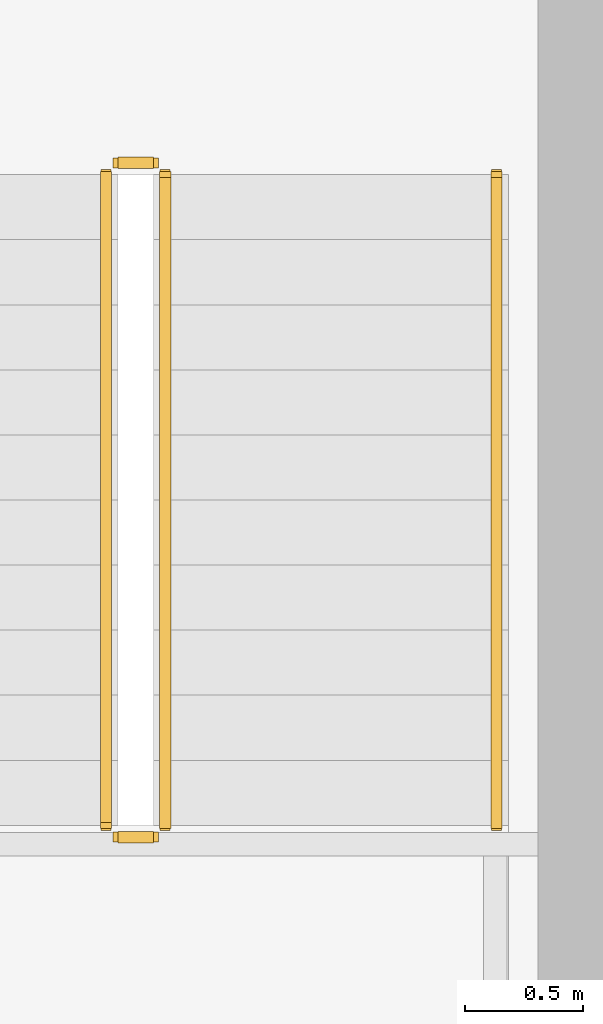
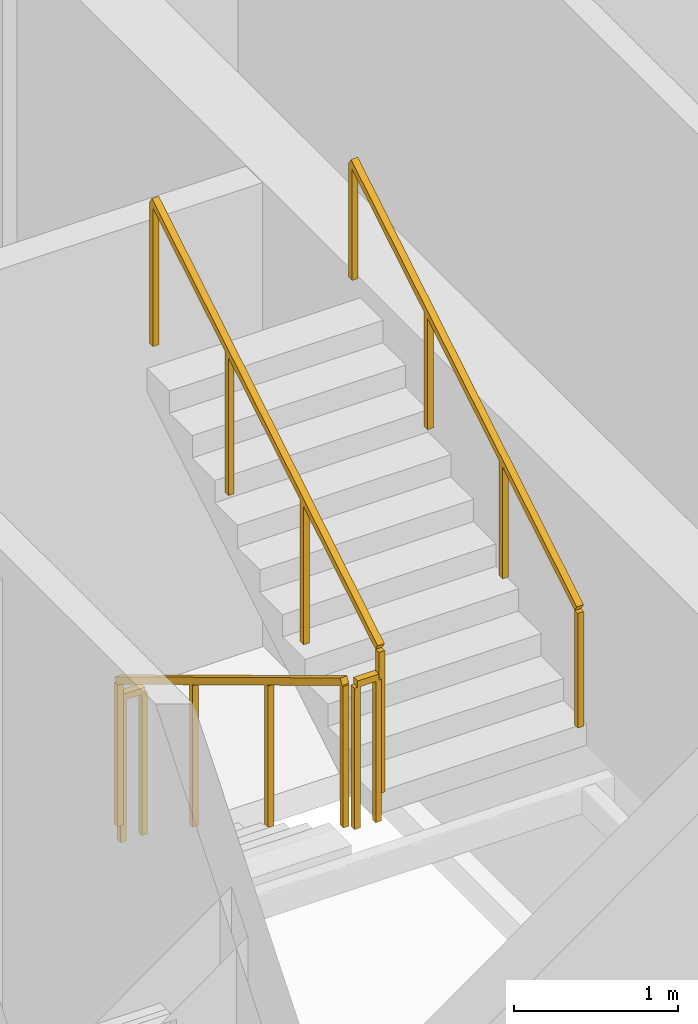
# One storey, part 10 of 10: 5 railings.
"""IFC4 building model written with IfcOpenShell, lengths in metres."""

from ifc_helpers import new_model, si_unit, direction, frame, origin, origin_2d, place, context, subcontext, project, spatial, rectangle, extrude, material, type_object, element, save


model = new_model("IFC4")

# Units and contexts
model_context = context("Model", 3, precision=1e-05, world=origin(), true_north=direction((0.0, 1.0)))
body_context = subcontext(model_context, "Body", "Model", "MODEL_VIEW")
ifc_project = project(units=[si_unit("LENGTHUNIT", "METRE"), si_unit("AREAUNIT", "SQUARE_METRE"), si_unit("VOLUMEUNIT", "CUBIC_METRE"), si_unit("PLANEANGLEUNIT", "RADIAN"), si_unit("MASSUNIT", "GRAM", prefix="KILO")], contexts=[model_context])

# Site, building, storey
site_placement = place(None, origin())
site = spatial("IfcSite", under=ifc_project, at=site_placement, CompositionType="ELEMENT")
building_placement = place(site_placement, origin())
building = spatial("IfcBuilding", under=site, at=building_placement, Name="Cinnabar Lancet Tower", CompositionType="ELEMENT")
storey_placement = place(building_placement, frame((0.0, 0.0, 227.0)))
storey = spatial("IfcBuildingStorey", under=building, at=storey_placement, Name="L60", CompositionType="ELEMENT", Elevation=227.0)

# Railings
ifc_material_1 = material(Name="Painted galvanized steel balustrade", Category="steel")
railing_type_1 = type_object("IfcRailingType", Name="GUARD-STAIR", PredefinedType="GUARDRAIL", material=ifc_material_1)
railing_1_placement = place(storey_placement, frame((39.574951171875, 28.39990234375, 0.166015625)))
element("IfcRailing", 1, at=railing_1_placement, inside=storey, type_object=railing_type_1, Name="L60 ST-2 stair guard 1", PredefinedType="GUARDRAIL", context=body_context, shape_type="SweptSolid", body=[
    extrude(rectangle(XDim=0.048095703125, YDim=0.048095703125, at=origin_2d()), frame((0.0, 0.0, 1.076171875), z_axis=(0.0, -0.856263023582, 0.516540060834), x_axis=(1.0, 0.0, 0.0)), (0.0, 0.0, 1.0), 3.211669921875),
    extrude(rectangle(XDim=0.0419921875, YDim=0.0419921875, at=origin_2d()), origin(), (0.0, 0.0, 1.0), 1.052001953125),
    extrude(rectangle(XDim=0.0419921875, YDim=0.0419921875, at=origin_2d()), frame((0.0, -0.916748046875, 0.552978515625)), (0.0, 0.0, 1.0), 1.052001953125),
    extrude(rectangle(XDim=0.0419921875, YDim=0.0419921875, at=origin_2d()), frame((0.0, -1.833251953125, 1.10595703125)), (0.0, 0.0, 1.0), 1.052001953125),
    extrude(rectangle(XDim=0.0419921875, YDim=0.0419921875, at=origin_2d()), frame((0.0, -2.75, 1.658935546875)), (0.0, 0.0, 1.0), 1.052001953125),
])
railing_2_placement = place(storey_placement, frame((39.625, 25.60009765625, 1.824951171875)))
element("IfcRailing", 2, at=railing_2_placement, inside=storey, type_object=railing_type_1, Name="L60 ST-2 stair guard 2", PredefinedType="GUARDRAIL", context=body_context, shape_type="SweptSolid", body=[
    extrude(rectangle(XDim=0.048095703125, YDim=0.048095703125, at=origin_2d()), frame((0.0, 0.0, 1.076171875), z_axis=(1.0, 0.0, 0.0), x_axis=(0.0, 1.0, 0.0)), (0.0, 0.0, 1.0), 0.14990234375),
    extrude(rectangle(XDim=0.0419921875, YDim=0.0419921875, at=origin_2d()), origin(), (0.0, 0.0, 1.0), 1.052001953125),
    extrude(rectangle(XDim=0.0419921875, YDim=0.0419921875, at=origin_2d()), frame((0.14990234375, 0.0, 0.0)), (0.0, 0.0, 1.0), 1.052001953125),
])
railing_3_placement = place(storey_placement, frame((39.824951171875, 25.64990234375, 1.990966796875)))
element("IfcRailing", 3, at=railing_3_placement, inside=storey, type_object=railing_type_1, Name="L60 ST-2 stair guard 3", PredefinedType="GUARDRAIL", context=body_context, shape_type="SweptSolid", body=[
    extrude(rectangle(XDim=0.048095703125, YDim=0.048095703125, at=origin_2d()), frame((0.0, 0.0, 1.076171875), z_axis=(0.0, 0.856263023582, 0.516540060834), x_axis=(-1.0, 0.0, 0.0)), (0.0, 0.0, 1.0), 3.211669921875),
    extrude(rectangle(XDim=0.0419921875, YDim=0.0419921875, at=origin_2d()), origin(), (0.0, 0.0, 1.0), 1.052001953125),
    extrude(rectangle(XDim=0.0419921875, YDim=0.0419921875, at=origin_2d()), frame((0.0, 0.916748046875, 0.552978515625)), (0.0, 0.0, 1.0), 1.052001953125),
    extrude(rectangle(XDim=0.0419921875, YDim=0.0419921875, at=origin_2d()), frame((0.0, 1.833251953125, 1.10595703125)), (0.0, 0.0, 1.0), 1.052001953125),
    extrude(rectangle(XDim=0.0419921875, YDim=0.0419921875, at=origin_2d()), frame((0.0, 2.75, 1.658935546875)), (0.0, 0.0, 1.0), 1.052001953125),
])
railing_4_placement = place(storey_placement, frame((39.625, 28.449951171875, 0.0)))
element("IfcRailing", 4, at=railing_4_placement, inside=storey, type_object=railing_type_1, Name="L60 ST-2 stair guard 4", PredefinedType="GUARDRAIL", context=body_context, shape_type="SweptSolid", body=[
    extrude(rectangle(XDim=0.048095703125, YDim=0.048095703125, at=origin_2d()), frame((0.0, 0.0, 1.076171875), z_axis=(1.0, 0.0, 0.0), x_axis=(0.0, 1.0, 0.0)), (0.0, 0.0, 1.0), 0.14990234375),
    extrude(rectangle(XDim=0.0419921875, YDim=0.0419921875, at=origin_2d()), origin(), (0.0, 0.0, 1.0), 1.052001953125),
    extrude(rectangle(XDim=0.0419921875, YDim=0.0419921875, at=origin_2d()), frame((0.14990234375, 0.0, 0.0)), (0.0, 0.0, 1.0), 1.052001953125),
])
ifc_material_2 = material(Name="Brushed stainless steel handrail", Category="steel")
railing_type_2 = type_object("IfcRailingType", Name="HANDRAIL-STAIR", PredefinedType="HANDRAIL", material=ifc_material_2)
railing_5_placement = place(storey_placement, frame((41.22509765625, 25.64990234375, 1.990966796875)))
element("IfcRailing", 5, at=railing_5_placement, inside=storey, type_object=railing_type_2, Name="L60 ST-2 stair handrail 2", PredefinedType="HANDRAIL", context=body_context, shape_type="SweptSolid", body=[
    extrude(rectangle(XDim=0.048095703125, YDim=0.048095703125, at=origin_2d()), frame((0.0, 0.0, 0.8759765625), z_axis=(0.0, 0.856263023582, 0.516540060834), x_axis=(-1.0, 0.0, 0.0)), (0.0, 0.0, 1.0), 3.211669921875),
    extrude(rectangle(XDim=0.0419921875, YDim=0.0419921875, at=origin_2d()), origin(), (0.0, 0.0, 1.0), 0.851806640625),
    extrude(rectangle(XDim=0.0419921875, YDim=0.0419921875, at=origin_2d()), frame((0.0, 0.916748046875, 0.552978515625)), (0.0, 0.0, 1.0), 0.851806640625),
    extrude(rectangle(XDim=0.0419921875, YDim=0.0419921875, at=origin_2d()), frame((0.0, 1.833251953125, 1.10595703125)), (0.0, 0.0, 1.0), 0.851806640625),
    extrude(rectangle(XDim=0.0419921875, YDim=0.0419921875, at=origin_2d()), frame((0.0, 2.75, 1.658935546875)), (0.0, 0.0, 1.0), 0.851806640625),
])

save(model, "model.ifc")
